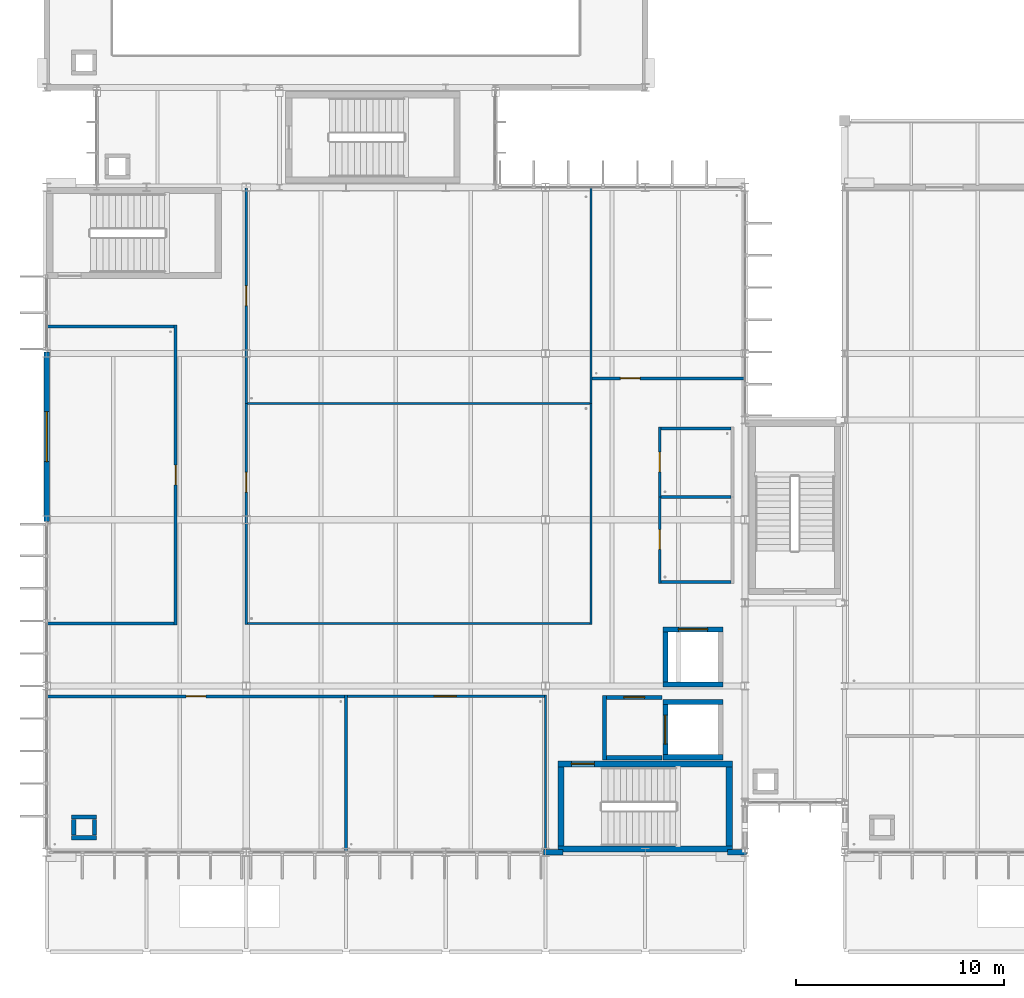
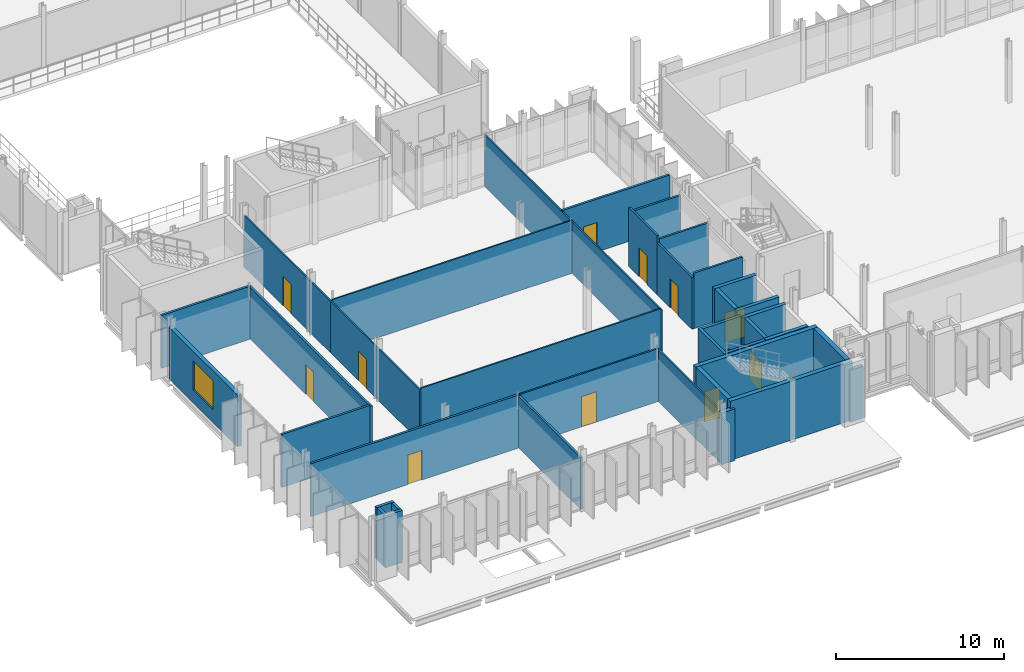
# One storey, part 60 of 107: 39 walls, 12 doors, 1 window, 13 openings.
"""IFC4 building model written with IfcOpenShell, lengths in metres."""

from ifc_helpers import new_model, si_unit, direction, frame, frame_2d, origin, place, context, subcontext, project, spatial, rectangle, extrude, material, layer, layer_set, type_object, element, fill, save


model = new_model("IFC4")

# Units and contexts
model_context = context("Model", 3, precision=1e-05, world=origin(), true_north=direction((0.0, 1.0)))
body_context = subcontext(model_context, "Body", "Model", "MODEL_VIEW")
ifc_project = project(units=[si_unit("LENGTHUNIT", "METRE"), si_unit("AREAUNIT", "SQUARE_METRE"), si_unit("VOLUMEUNIT", "CUBIC_METRE"), si_unit("PLANEANGLEUNIT", "RADIAN"), si_unit("MASSUNIT", "GRAM", prefix="KILO")], contexts=[model_context])

# Site, building, storey
site_placement = place(None, origin())
site = spatial("IfcSite", under=ifc_project, at=site_placement, CompositionType="ELEMENT")
building_placement = place(site_placement, origin())
building = spatial("IfcBuilding", under=site, at=building_placement, Name="Dunescarp Central Library", CompositionType="ELEMENT")
storey_placement = place(building_placement, frame((0.0, 0.0, 5.10009765625)))
storey = spatial("IfcBuildingStorey", under=building, at=storey_placement, Name="L01", CompositionType="ELEMENT", Elevation=5.10009765625)

# Wall, opening, door
ifc_material_1 = material(Name="Gypsum plasterboard acoustic partition")
ifc_layer_1 = layer(ifc_material_1, 0.14990234375)
ifc_layer_set_1 = layer_set([ifc_layer_1], Name="Gypsum plasterboard acoustic partition")
wall_type_1 = type_object("IfcWallType", Name="ARC-PT-AC150", PredefinedType="PARTITIONING", material=ifc_layer_set_1)
wall_1_placement = place(storey_placement, frame((0.0400390625, 12.300048828125, 0.0), z_axis=(0.0, 0.0, 1.0), x_axis=(1.0, 0.0, 0.0)))
wall_1 = element("IfcWall", 1, at=wall_1_placement, inside=storey, type_object=wall_type_1, Name="L01 partition PT-L01-0033", PredefinedType="PARTITIONING", context=body_context, shape_type="SweptSolid", body=[
    extrude(rectangle(XDim=14.284912109375, YDim=0.14990234375, at=frame_2d((7.142578125, 0.0))), origin(), (0.0, 0.0, 1.0), 3.851806640625),
])
opening_1_placement = place(wall_1_placement, frame((6.66796875, 0.0, 0.0)))
opening_1 = element("IfcOpeningElement", 2, at=opening_1_placement, cuts=wall_1, Name="Opening DR-L01-0012", PredefinedType="OPENING", context=body_context, shape_type="SweptSolid", body=[
    extrude(rectangle(XDim=0.949951171875, YDim=2.14990234375, at=frame_2d((0.47509765625, 1.074951171875))), frame((0.0, 0.0849609375, 0.0), z_axis=(0.0, -1.0, 0.0), x_axis=(1.0, 0.0, 0.0)), (0.0, 0.0, 1.0), 0.169921875),
])
ifc_material_2 = material(Name="Hardwood solid-core timber leaf", Category="wood")
door_type_1 = type_object("IfcDoorType", Name="ARC-DR-INT950", OperationType="NOTDEFINED", PredefinedType="DOOR", material=ifc_material_2)
door_1_placement = place(opening_1_placement, origin())
door_1 = element("IfcDoor", 3, at=door_1_placement, inside=storey, type_object=door_type_1, Name="L01 interior door DR-L01-0012", OperationType="SINGLE_SWING_LEFT", OverallHeight=2.14990234375, OverallWidth=0.949951171875, PredefinedType="DOOR", context=body_context, shape_type="SweptSolid", body=[
    extrude(rectangle(XDim=0.949951171875, YDim=2.14990234375, at=frame_2d((0.47509765625, 1.074951171875))), frame((0.0, 0.02490234375, 0.0), z_axis=(0.0, -1.0, 0.0), x_axis=(1.0, 0.0, 0.0)), (0.0, 0.0, 1.0), 0.050048828125),
])
fill(opening_1, door_1)

# Walls
wall_2_placement = place(storey_placement, frame((14.39990234375, 4.840087890625, 0.0), z_axis=(0.0, 0.0, 1.0), x_axis=(0.0, 1.0, 0.0)))
element("IfcWall", 4, at=wall_2_placement, inside=storey, type_object=wall_type_1, Name="L01 partition PT-L01-0034", PredefinedType="PARTITIONING", context=body_context, shape_type="SweptSolid", body=[
    extrude(rectangle(XDim=7.534912109375, YDim=0.14990234375, at=frame_2d((3.767578125, 0.0))), origin(), (0.0, 0.0, 1.0), 3.764892578125),
])
for number, where, z_axis, x_axis, name in (
    (5, (0.0400390625, 15.800048828125, 0.0), (0.0, 0.0, 1.0), (1.0, 0.0, 0.0), "L01 partition PT-L01-0037"),
    (6, (0.0400390625, 30.10009765625, 0.0), (0.0, 0.0, 1.0), (1.0, 0.0, 0.0), "L01 partition PT-L01-0038"),
):
    element("IfcWall", number, at=place(storey_placement, frame(where, z_axis=z_axis, x_axis=x_axis)), inside=storey, type_object=wall_type_1, Name=name, PredefinedType="PARTITIONING", context=body_context, shape_type="SweptSolid", body=[
        extrude(rectangle(XDim=6.0849609375, YDim=0.14990234375, at=frame_2d((3.04248046875, 0.0))), origin(), (0.0, 0.0, 1.0), 3.851806640625),
    ])

# Wall, opening, door
wall_3_placement = place(storey_placement, frame((6.199951171875, 15.72509765625, 0.0), z_axis=(0.0, 0.0, 1.0), x_axis=(0.0, 1.0, 0.0)))
wall_3 = element("IfcWall", 7, at=wall_3_placement, inside=storey, type_object=wall_type_1, Name="L01 partition PT-L01-0039", PredefinedType="PARTITIONING", context=body_context, shape_type="SweptSolid", body=[
    extrude(rectangle(XDim=14.449951171875, YDim=0.14990234375, at=frame_2d((7.22509765625, 0.0))), origin(), (0.0, 0.0, 1.0), 3.764892578125),
])
opening_2_placement = place(wall_3_placement, frame((6.75, 0.0, 0.0)))
opening_2 = element("IfcOpeningElement", 8, at=opening_2_placement, cuts=wall_3, Name="Opening DR-L01-0014", PredefinedType="OPENING", context=body_context, shape_type="SweptSolid", body=[
    extrude(rectangle(XDim=0.949951171875, YDim=2.14990234375, at=frame_2d((0.47509765625, 1.074951171875))), frame((0.0, 0.0849609375, 0.0), z_axis=(0.0, -1.0, 0.0), x_axis=(1.0, 0.0, 0.0)), (0.0, 0.0, 1.0), 0.169921875),
])
door_2_placement = place(opening_2_placement, origin())
door_2 = element("IfcDoor", 9, at=door_2_placement, inside=storey, type_object=door_type_1, Name="L01 interior door DR-L01-0014", OperationType="SINGLE_SWING_LEFT", OverallHeight=2.14990234375, OverallWidth=0.949951171875, PredefinedType="DOOR", context=body_context, shape_type="SweptSolid", body=[
    extrude(rectangle(XDim=0.949951171875, YDim=2.14990234375, at=frame_2d((0.47509765625, 1.074951171875))), frame((0.0, 0.02490234375, 0.0), z_axis=(0.0, -1.0, 0.0), x_axis=(1.0, 0.0, 0.0)), (0.0, 0.0, 1.0), 0.050048828125),
])
fill(opening_2, door_2)

wall_4_placement = place(storey_placement, frame((26.199951171875, 27.60009765625, 0.0), z_axis=(0.0, 0.0, 1.0), x_axis=(1.0, 0.0, 0.0)))
wall_4 = element("IfcWall", 10, at=wall_4_placement, inside=storey, type_object=wall_type_1, Name="L01 partition PT-L01-0046", PredefinedType="PARTITIONING", context=body_context, shape_type="SweptSolid", body=[
    extrude(rectangle(XDim=7.360107421875, YDim=0.14990234375, at=frame_2d((3.68017578125, 0.0))), origin(), (0.0, 0.0, 1.0), 3.851806640625),
])
opening_3_placement = place(wall_4_placement, frame((1.409912109375, 0.0, 0.0)))
opening_3 = element("IfcOpeningElement", 11, at=opening_3_placement, cuts=wall_4, Name="Opening DR-L01-0017", PredefinedType="OPENING", context=body_context, shape_type="SweptSolid", body=[
    extrude(rectangle(XDim=0.949951171875, YDim=2.14990234375, at=frame_2d((0.47509765625, 1.074951171875))), frame((0.0, 0.0849609375, 0.0), z_axis=(0.0, -1.0, 0.0), x_axis=(1.0, 0.0, 0.0)), (0.0, 0.0, 1.0), 0.169921875),
])
door_3_placement = place(opening_3_placement, origin())
door_3 = element("IfcDoor", 12, at=door_3_placement, inside=storey, type_object=door_type_1, Name="L01 interior door DR-L01-0017", OperationType="SINGLE_SWING_RIGHT", OverallHeight=2.14990234375, OverallWidth=0.949951171875, PredefinedType="DOOR", context=body_context, shape_type="SweptSolid", body=[
    extrude(rectangle(XDim=0.949951171875, YDim=2.14990234375, at=frame_2d((0.47509765625, 1.074951171875))), frame((0.0, 0.02490234375, 0.0), z_axis=(0.0, -1.0, 0.0), x_axis=(1.0, 0.0, 0.0)), (0.0, 0.0, 1.0), 0.050048828125),
])
fill(opening_3, door_3)

# Wall
ifc_material_3 = material(Name="Concrete C35/45", Category="concrete")
ifc_layer_2 = layer(ifc_material_3, 0.199951171875)
ifc_layer_set_2 = layer_set([ifc_layer_2], Name="Concrete C35/45")
wall_type_2 = type_object("IfcWallType", Name="ARC-PT-FIRE200", PredefinedType="PARTITIONING", material=ifc_layer_set_2)
wall_5_placement = place(storey_placement, frame((26.949951171875, 9.35009765625, 0.0), z_axis=(0.0, 0.0, 1.0), x_axis=(1.0, 0.0, 0.0)))
element("IfcWall", 13, at=wall_5_placement, inside=storey, type_object=wall_type_2, Name="L01 partition PT-L01-0023", PredefinedType="PARTITIONING", context=body_context, shape_type="SweptSolid", body=[
    extrude(rectangle(XDim=2.650146484375, YDim=0.199951171875, at=frame_2d((1.3251953125, 0.0))), origin(), (0.0, 0.0, 1.0), 4.289794921875),
])

# Wall, opening, door
wall_6_placement = place(storey_placement, frame((26.949951171875, 12.25, 0.0), z_axis=(0.0, 0.0, 1.0), x_axis=(1.0, 0.0, 0.0)))
wall_6 = element("IfcWall", 14, at=wall_6_placement, inside=storey, type_object=wall_type_2, Name="L01 partition PT-L01-0024", PredefinedType="PARTITIONING", context=body_context, shape_type="SweptSolid", body=[
    extrude(rectangle(XDim=2.650146484375, YDim=0.199951171875, at=frame_2d((1.3251953125, 0.0))), origin(), (0.0, 0.0, 1.0), 4.289794921875),
])
opening_4_placement = place(wall_6_placement, frame((0.824951171875, 0.0, 0.0)))
opening_4 = element("IfcOpeningElement", 15, at=opening_4_placement, cuts=wall_6, Name="Opening DR-L01-0009", PredefinedType="OPENING", context=body_context, shape_type="SweptSolid", body=[
    extrude(rectangle(XDim=1.0, YDim=2.199951171875, at=frame_2d((0.5, 1.10009765625))), frame((0.0, 0.10986328125, 0.0), z_axis=(0.0, -1.0, 0.0), x_axis=(1.0, 0.0, 0.0)), (0.0, 0.0, 1.0), 0.219970703125),
])
door_type_2 = type_object("IfcDoorType", Name="ARC-DR-INT1000", OperationType="NOTDEFINED", PredefinedType="DOOR", material=ifc_material_2)
door_4_placement = place(opening_4_placement, origin())
door_4 = element("IfcDoor", 16, at=door_4_placement, inside=storey, type_object=door_type_2, Name="L01 interior door DR-L01-0009", OperationType="SINGLE_SWING_RIGHT", OverallHeight=2.199951171875, OverallWidth=1.0, PredefinedType="DOOR", context=body_context, shape_type="SweptSolid", body=[
    extrude(rectangle(XDim=1.0, YDim=2.199951171875, at=frame_2d((0.5, 1.10009765625))), frame((0.0, 0.02490234375, 0.0), z_axis=(0.0, -1.0, 0.0), x_axis=(1.0, 0.0, 0.0)), (0.0, 0.0, 1.0), 0.050048828125),
])
fill(opening_4, door_4)

# Walls
wall_7_placement = place(storey_placement, frame((26.85009765625, 9.25, 0.0), z_axis=(0.0, 0.0, 1.0), x_axis=(0.0, 1.0, 0.0)))
element("IfcWall", 17, at=wall_7_placement, inside=storey, type_object=wall_type_2, Name="L01 partition PT-L01-0025", PredefinedType="PARTITIONING", context=body_context, shape_type="SweptSolid", body=[
    extrude(rectangle(XDim=3.10009765625, YDim=0.199951171875, at=frame_2d((1.550048828125, 0.0))), origin(), (0.0, 0.0, 1.0), 4.289794921875),
])
ifc_material_4 = material(Name="Solar-control laminated double glazing", Category="glass")
ifc_layer_3 = layer(ifc_material_4, 0.10009765625)
ifc_layer_set_3 = layer_set([ifc_layer_3], Name="Solar-control laminated double glazing")
wall_type_3 = type_object("IfcWallType", Name="ARC-PT-GLZ100", PredefinedType="MOVABLE", material=ifc_layer_set_3)
for number, where, z_axis, x_axis, name in (
    (18, (9.64990234375, 15.800048828125, 0.0), (0.0, 0.0, 1.0), (1.0, 0.0, 0.0), "L01 partition PT-L01-0040"),
    (19, (9.64990234375, 26.39990234375, 0.0), (0.0, 0.0, 1.0), (1.0, 0.0, 0.0), "L01 partition PT-L01-0041"),
):
    element("IfcWall", number, at=place(storey_placement, frame(where, z_axis=z_axis, x_axis=x_axis)), inside=storey, type_object=wall_type_3, Name=name, PredefinedType="MOVABLE", context=body_context, shape_type="SweptSolid", body=[
        extrude(rectangle(XDim=16.5, YDim=0.10009765625, at=frame_2d((8.25, 0.0))), origin(), (0.0, 0.0, 1.0), 3.851806640625),
    ])

# Wall, opening, door
wall_8_placement = place(storey_placement, frame((9.60009765625, 15.75, 0.0), z_axis=(0.0, 0.0, 1.0), x_axis=(0.0, 1.0, 0.0)))
wall_8 = element("IfcWall", 20, at=wall_8_placement, inside=storey, type_object=wall_type_3, Name="L01 partition PT-L01-0042", PredefinedType="MOVABLE", context=body_context, shape_type="SweptSolid", body=[
    extrude(rectangle(XDim=10.699951171875, YDim=0.10009765625, at=frame_2d((5.35009765625, 0.0))), origin(), (0.0, 0.0, 1.0), 3.764892578125),
])
opening_5_placement = place(wall_8_placement, frame((6.375, 0.0, 0.0)))
opening_5 = element("IfcOpeningElement", 21, at=opening_5_placement, cuts=wall_8, Name="Opening DR-L01-0015", PredefinedType="OPENING", context=body_context, shape_type="SweptSolid", body=[
    extrude(rectangle(XDim=0.949951171875, YDim=2.14990234375, at=frame_2d((0.47509765625, 1.074951171875))), frame((0.0, 0.06005859375, 0.0), z_axis=(0.0, -1.0, 0.0), x_axis=(1.0, 0.0, 0.0)), (0.0, 0.0, 1.0), 0.1201171875),
])
door_5_placement = place(opening_5_placement, origin())
door_5 = element("IfcDoor", 22, at=door_5_placement, inside=storey, type_object=door_type_1, Name="L01 interior door DR-L01-0015", OperationType="SINGLE_SWING_RIGHT", OverallHeight=2.14990234375, OverallWidth=0.949951171875, PredefinedType="DOOR", context=body_context, shape_type="SweptSolid", body=[
    extrude(rectangle(XDim=0.949951171875, YDim=2.14990234375, at=frame_2d((0.47509765625, 1.074951171875))), frame((0.0, 0.02490234375, 0.0), z_axis=(0.0, -1.0, 0.0), x_axis=(1.0, 0.0, 0.0)), (0.0, 0.0, 1.0), 0.050048828125),
])
fill(opening_5, door_5)

# Wall
wall_9_placement = place(storey_placement, frame((26.199951171875, 15.75, 0.0), z_axis=(0.0, 0.0, 1.0), x_axis=(0.0, 1.0, 0.0)))
element("IfcWall", 23, at=wall_9_placement, inside=storey, type_object=wall_type_3, Name="L01 partition PT-L01-0043", PredefinedType="MOVABLE", context=body_context, shape_type="SweptSolid", body=[
    extrude(rectangle(XDim=10.699951171875, YDim=0.10009765625, at=frame_2d((5.35009765625, 0.0))), origin(), (0.0, 0.0, 1.0), 3.764892578125),
])

# Wall, opening, door
wall_10_placement = place(storey_placement, frame((9.60009765625, 26.39990234375, 0.0), z_axis=(0.0, 0.0, 1.0), x_axis=(0.0, 1.0, 0.0)))
wall_10 = element("IfcWall", 24, at=wall_10_placement, inside=storey, type_object=wall_type_3, Name="L01 partition PT-L01-0044", PredefinedType="MOVABLE", context=body_context, shape_type="SweptSolid", body=[
    extrude(rectangle(XDim=10.360107421875, YDim=0.10009765625, at=frame_2d((5.18017578125, 0.0))), origin(), (0.0, 0.0, 1.0), 3.764892578125),
])
opening_6_placement = place(wall_10_placement, frame((4.705078125, 0.0, 0.0)))
opening_6 = element("IfcOpeningElement", 25, at=opening_6_placement, cuts=wall_10, Name="Opening DR-L01-0016", PredefinedType="OPENING", context=body_context, shape_type="SweptSolid", body=[
    extrude(rectangle(XDim=0.949951171875, YDim=2.14990234375, at=frame_2d((0.47509765625, 1.074951171875))), frame((0.0, 0.06005859375, 0.0), z_axis=(0.0, -1.0, 0.0), x_axis=(1.0, 0.0, 0.0)), (0.0, 0.0, 1.0), 0.1201171875),
])
door_6_placement = place(opening_6_placement, origin())
door_6 = element("IfcDoor", 26, at=door_6_placement, inside=storey, type_object=door_type_1, Name="L01 interior door DR-L01-0016", OperationType="SINGLE_SWING_LEFT", OverallHeight=2.14990234375, OverallWidth=0.949951171875, PredefinedType="DOOR", context=body_context, shape_type="SweptSolid", body=[
    extrude(rectangle(XDim=0.949951171875, YDim=2.14990234375, at=frame_2d((0.47509765625, 1.074951171875))), frame((0.0, 0.02490234375, 0.0), z_axis=(0.0, -1.0, 0.0), x_axis=(1.0, 0.0, 0.0)), (0.0, 0.0, 1.0), 0.050048828125),
])
fill(opening_6, door_6)

# Wall
wall_11_placement = place(storey_placement, frame((26.199951171875, 26.39990234375, 0.0), z_axis=(0.0, 0.0, 1.0), x_axis=(0.0, 1.0, 0.0)))
element("IfcWall", 27, at=wall_11_placement, inside=storey, type_object=wall_type_3, Name="L01 partition PT-L01-0045", PredefinedType="MOVABLE", context=body_context, shape_type="SweptSolid", body=[
    extrude(rectangle(XDim=10.360107421875, YDim=0.10009765625, at=frame_2d((5.18017578125, 0.0))), origin(), (0.0, 0.0, 1.0), 3.764892578125),
])

# Wall, opening, door
ifc_layer_4 = layer(ifc_material_1, 0.110107421875)
ifc_layer_set_4 = layer_set([ifc_layer_4], Name="Gypsum plasterboard acoustic partition")
wall_type_4 = type_object("IfcWallType", Name="ARC-PT-GYP110", PredefinedType="PARTITIONING", material=ifc_layer_set_4)
wall_12_placement = place(storey_placement, frame((14.39990234375, 12.300048828125, 0.0), z_axis=(0.0, 0.0, 1.0), x_axis=(1.0, 0.0, 0.0)))
wall_12 = element("IfcWall", 28, at=wall_12_placement, inside=storey, type_object=wall_type_4, Name="L01 partition PT-L01-0035", PredefinedType="PARTITIONING", context=body_context, shape_type="SweptSolid", body=[
    extrude(rectangle(XDim=9.545166015625, YDim=0.110107421875, at=frame_2d((4.7724609375, 0.0))), origin(), (0.0, 0.0, 1.0), 3.851806640625),
])
opening_7_placement = place(wall_12_placement, frame((4.2470703125, 0.0, 0.0)))
opening_7 = element("IfcOpeningElement", 29, at=opening_7_placement, cuts=wall_12, Name="Opening DR-L01-0013", PredefinedType="OPENING", context=body_context, shape_type="SweptSolid", body=[
    extrude(rectangle(XDim=1.050048828125, YDim=2.199951171875, at=frame_2d((0.52490234375, 1.10009765625))), frame((0.0, 0.06494140625, 0.0), z_axis=(0.0, -1.0, 0.0), x_axis=(1.0, 0.0, 0.0)), (0.0, 0.0, 1.0), 0.130126953125),
])
door_type_3 = type_object("IfcDoorType", Name="ARC-DR-INT1050", OperationType="NOTDEFINED", PredefinedType="DOOR", material=ifc_material_2)
door_7_placement = place(opening_7_placement, origin())
door_7 = element("IfcDoor", 30, at=door_7_placement, inside=storey, type_object=door_type_3, Name="L01 interior door DR-L01-0013", OperationType="SINGLE_SWING_RIGHT", OverallHeight=2.199951171875, OverallWidth=1.050048828125, PredefinedType="DOOR", context=body_context, shape_type="SweptSolid", body=[
    extrude(rectangle(XDim=1.050048828125, YDim=2.199951171875, at=frame_2d((0.52490234375, 1.10009765625))), frame((0.0, 0.02490234375, 0.0), z_axis=(0.0, -1.0, 0.0), x_axis=(1.0, 0.0, 0.0)), (0.0, 0.0, 1.0), 0.050048828125),
])
fill(opening_7, door_7)

# Walls
wall_13_placement = place(storey_placement, frame((24.0, 4.840087890625, 0.0), z_axis=(0.0, 0.0, 1.0), x_axis=(0.0, 1.0, 0.0)))
element("IfcWall", 31, at=wall_13_placement, inside=storey, type_object=wall_type_4, Name="L01 partition PT-L01-0036", PredefinedType="PARTITIONING", context=body_context, shape_type="SweptSolid", body=[
    extrude(rectangle(XDim=7.514892578125, YDim=0.110107421875, at=frame_2d((3.75732421875, 0.0))), origin(), (0.0, 0.0, 1.0), 3.764892578125),
])
ifc_material_5 = material(Name="Autoclaved aerated concrete block", Category="concrete")
ifc_layer_5 = layer(ifc_material_5, 0.139892578125)
ifc_layer_set_5 = layer_set([ifc_layer_5], Name="Autoclaved aerated concrete block")
wall_type_5 = type_object("IfcWallType", Name="ARC-PT-WET140", PredefinedType="PARTITIONING", material=ifc_layer_set_5)
for number, where, z_axis, x_axis, name in (
    (32, (29.570068359375, 17.800048828125, 0.0), (0.0, 0.0, 1.0), (1.0, 0.0, 0.0), "L01 partition PT-L01-0026"),
    (33, (29.570068359375, 21.89990234375, 0.0), (0.0, 0.0, 1.0), (1.0, 0.0, 0.0), "L01 partition PT-L01-0027"),
):
    element("IfcWall", number, at=place(storey_placement, frame(where, z_axis=z_axis, x_axis=x_axis)), inside=storey, type_object=wall_type_5, Name=name, PredefinedType="PARTITIONING", context=body_context, shape_type="SweptSolid", body=[
        extrude(rectangle(XDim=3.35986328125, YDim=0.139892578125, at=frame_2d((1.679931640625, 0.0))), origin(), (0.0, 0.0, 1.0), 4.044921875),
    ])

# Wall, opening, door
wall_14_placement = place(storey_placement, frame((29.5, 17.72998046875, 0.0), z_axis=(0.0, 0.0, 1.0), x_axis=(0.0, 1.0, 0.0)))
wall_14 = element("IfcWall", 34, at=wall_14_placement, inside=storey, type_object=wall_type_5, Name="L01 partition PT-L01-0028", PredefinedType="PARTITIONING", context=body_context, shape_type="SweptSolid", body=[
    extrude(rectangle(XDim=4.239990234375, YDim=0.139892578125, at=frame_2d((2.1201171875, 0.0))), origin(), (0.0, 0.0, 1.0), 3.764892578125),
])
opening_8_placement = place(wall_14_placement, frame((1.64501953125, 0.0, 0.0)))
opening_8 = element("IfcOpeningElement", 35, at=opening_8_placement, cuts=wall_14, Name="Opening DR-L01-0010", PredefinedType="OPENING", context=body_context, shape_type="SweptSolid", body=[
    extrude(rectangle(XDim=0.949951171875, YDim=2.10009765625, at=frame_2d((0.47509765625, 1.050048828125))), frame((0.0, 0.080078125, 0.0), z_axis=(0.0, -1.0, 0.0), x_axis=(1.0, 0.0, 0.0)), (0.0, 0.0, 1.0), 0.159912109375),
])
door_type_4 = type_object("IfcDoorType", Name="ARC-DR-WC950", OperationType="NOTDEFINED", PredefinedType="DOOR", material=ifc_material_2)
door_8_placement = place(opening_8_placement, origin())
door_8 = element("IfcDoor", 36, at=door_8_placement, inside=storey, type_object=door_type_4, Name="L01 interior door DR-L01-0010", OperationType="SINGLE_SWING_LEFT", OverallHeight=2.10009765625, OverallWidth=0.949951171875, PredefinedType="DOOR", context=body_context, shape_type="SweptSolid", body=[
    extrude(rectangle(XDim=0.949951171875, YDim=2.10009765625, at=frame_2d((0.47509765625, 1.050048828125))), frame((0.0, 0.02490234375, 0.0), z_axis=(0.0, -1.0, 0.0), x_axis=(1.0, 0.0, 0.0)), (0.0, 0.0, 1.0), 0.050048828125),
])
fill(opening_8, door_8)

# Wall
wall_15_placement = place(storey_placement, frame((29.570068359375, 25.199951171875, 0.0), z_axis=(0.0, 0.0, 1.0), x_axis=(1.0, 0.0, 0.0)))
element("IfcWall", 37, at=wall_15_placement, inside=storey, type_object=wall_type_5, Name="L01 partition PT-L01-0030", PredefinedType="PARTITIONING", context=body_context, shape_type="SweptSolid", body=[
    extrude(rectangle(XDim=3.35986328125, YDim=0.139892578125, at=frame_2d((1.679931640625, 0.0))), origin(), (0.0, 0.0, 1.0), 4.044921875),
])

# Wall, opening, door
wall_16_placement = place(storey_placement, frame((29.5, 21.89990234375, 0.0), z_axis=(0.0, 0.0, 1.0), x_axis=(0.0, 1.0, 0.0)))
wall_16 = element("IfcWall", 38, at=wall_16_placement, inside=storey, type_object=wall_type_5, Name="L01 partition PT-L01-0031", PredefinedType="PARTITIONING", context=body_context, shape_type="SweptSolid", body=[
    extrude(rectangle(XDim=3.3701171875, YDim=0.139892578125, at=frame_2d((1.68505859375, 0.0))), origin(), (0.0, 0.0, 1.0), 4.289794921875),
])
opening_9_placement = place(wall_16_placement, frame((1.2099609375, 0.0, 0.0)))
opening_9 = element("IfcOpeningElement", 39, at=opening_9_placement, cuts=wall_16, Name="Opening DR-L01-0011", PredefinedType="OPENING", context=body_context, shape_type="SweptSolid", body=[
    extrude(rectangle(XDim=0.949951171875, YDim=2.10009765625, at=frame_2d((0.47509765625, 1.050048828125))), frame((0.0, 0.080078125, 0.0), z_axis=(0.0, -1.0, 0.0), x_axis=(1.0, 0.0, 0.0)), (0.0, 0.0, 1.0), 0.159912109375),
])
door_9_placement = place(opening_9_placement, origin())
door_9 = element("IfcDoor", 40, at=door_9_placement, inside=storey, type_object=door_type_4, Name="L01 interior door DR-L01-0011", OperationType="SINGLE_SWING_RIGHT", OverallHeight=2.10009765625, OverallWidth=0.949951171875, PredefinedType="DOOR", context=body_context, shape_type="SweptSolid", body=[
    extrude(rectangle(XDim=0.949951171875, YDim=2.10009765625, at=frame_2d((0.47509765625, 1.050048828125))), frame((0.0, 0.02490234375, 0.0), z_axis=(0.0, -1.0, 0.0), x_axis=(1.0, 0.0, 0.0)), (0.0, 0.0, 1.0), 0.050048828125),
])
fill(opening_9, door_9)

# Walls
ifc_material_6 = material(Name="Glass-fibre reinforced concrete GRC", Category="concrete")
ifc_layer_6 = layer(ifc_material_6, 0.280029296875)
ifc_layer_set_6 = layer_set([ifc_layer_6], Name="Glass-fibre reinforced concrete GRC")
wall_type_6 = type_object("IfcWallType", Name="ARC-WL-GRC280", PredefinedType="SOLIDWALL", material=ifc_layer_set_6)
wall_17_placement = place(storey_placement, frame((24.8349609375, 4.800048828125, 0.0), z_axis=(0.0, 0.0, 1.0), x_axis=(-1.0, 0.0, 0.0)))
element("IfcWall", 41, at=wall_17_placement, inside=storey, type_object=wall_type_6, Name="L01 external wall EW-V1-006", PredefinedType="SOLIDWALL", context=body_context, shape_type="SweptSolid", body=[
    extrude(rectangle(XDim=0.919921875, YDim=0.280029296875, at=frame_2d((0.4599609375, 0.0))), origin(), (0.0, 0.0, 1.0), 3.764892578125),
])
wall_18_placement = place(storey_placement, frame((33.68505859375, 4.800048828125, 0.0), z_axis=(0.0, 0.0, 1.0), x_axis=(-1.0, 0.0, 0.0)))
element("IfcWall", 42, at=wall_18_placement, inside=storey, type_object=wall_type_6, Name="L01 external wall EW-V1-007", PredefinedType="SOLIDWALL", context=body_context, shape_type="SweptSolid", body=[
    extrude(rectangle(XDim=0.920166015625, YDim=0.280029296875, at=frame_2d((0.4599609375, 0.0))), origin(), (0.0, 0.0, 1.0), 3.764892578125),
])

# Wall, opening, window
wall_19_placement = place(storey_placement, frame((0.0, 20.715087890625, 0.0), z_axis=(0.0, 0.0, 1.0), x_axis=(0.0, 1.0, 0.0)))
wall_19 = element("IfcWall", 43, at=wall_19_placement, inside=storey, type_object=wall_type_6, Name="L01 external wall EW-V1-008", PredefinedType="SOLIDWALL", context=body_context, shape_type="SweptSolid", body=[
    extrude(rectangle(XDim=8.169921875, YDim=0.280029296875, at=frame_2d((4.0849609375, 0.0))), origin(), (0.0, 0.0, 1.0), 3.764892578125),
])
opening_10_placement = place(wall_19_placement, frame((2.885009765625, 0.0, 0.949951171875)))
opening_10 = element("IfcOpeningElement", 44, at=opening_10_placement, cuts=wall_19, Name="Opening WN-002", PredefinedType="OPENING", context=body_context, shape_type="SweptSolid", body=[
    extrude(rectangle(XDim=2.39990234375, YDim=2.10009765625, at=frame_2d((1.199951171875, 1.050048828125))), frame((0.0, 0.14990234375, 0.0), z_axis=(0.0, -1.0, 0.0), x_axis=(1.0, 0.0, 0.0)), (0.0, 0.0, 1.0), 0.300048828125),
])
window_type = type_object("IfcWindowType", Name="ARC-WN-2400X2100", PartitioningType="SINGLE_PANEL", PredefinedType="WINDOW", material=ifc_material_4)
window_placement = place(opening_10_placement, origin())
window = element("IfcWindow", 45, at=window_placement, inside=storey, type_object=window_type, Name="L01 window WN-002", OverallHeight=2.10009765625, OverallWidth=2.39990234375, PartitioningType="SINGLE_PANEL", PredefinedType="WINDOW", context=body_context, shape_type="SweptSolid", body=[
    extrude(rectangle(XDim=2.39990234375, YDim=2.10009765625, at=frame_2d((1.199951171875, 1.050048828125))), frame((0.0, 0.030029296875, 0.0), z_axis=(0.0, -1.0, 0.0), x_axis=(1.0, 0.0, 0.0)), (0.0, 0.0, 1.0), 0.06005859375),
])
fill(opening_10, window)

# Walls
ifc_layer_7 = layer(ifc_material_3, 0.199951171875)
ifc_layer_set_7 = layer_set([ifc_layer_7], Name="Concrete C35/45")
wall_type_7 = type_object("IfcWallType", Name="ARC-WL-RISER200", PredefinedType="PARTITIONING", material=ifc_layer_set_7)
for number, where, z_axis, x_axis, name in (
    (46, (2.39990234375, 5.5, 0.0), (0.0, 0.0, 1.0), (-1.0, 0.0, 0.0), "L01 V1 duct shaft wall S"),
    (47, (1.199951171875, 6.5, 0.0), (0.0, 0.0, 1.0), (1.0, 0.0, 0.0), "L01 V1 duct shaft wall N"),
):
    element("IfcWall", number, at=place(storey_placement, frame(where, z_axis=z_axis, x_axis=x_axis)), inside=storey, type_object=wall_type_7, Name=name, PredefinedType="PARTITIONING", context=body_context, shape_type="SweptSolid", body=[
        extrude(rectangle(XDim=1.199951171875, YDim=0.199951171875, at=frame_2d((0.60009765625, 0.0))), origin(), (0.0, 0.0, 1.0), 3.789794921875),
    ])
for number, where, z_axis, x_axis, name in (
    (48, (1.300048828125, 5.6201171875, 0.0), (0.0, 0.0, 1.0), (0.0, 1.0, 0.0), "L01 V1 duct shaft wall W"),
    (49, (2.300048828125, 6.3798828125, 0.0), (0.0, 0.0, 1.0), (0.0, -1.0, 0.0), "L01 V1 duct shaft wall E"),
):
    element("IfcWall", number, at=place(storey_placement, frame(where, z_axis=z_axis, x_axis=x_axis)), inside=storey, type_object=wall_type_7, Name=name, PredefinedType="PARTITIONING", context=body_context, shape_type="SweptSolid", body=[
        extrude(rectangle(XDim=0.759765625, YDim=0.199951171875, at=frame_2d((0.3798828125, 0.0))), origin(), (0.0, 0.0, 1.0), 3.789794921875),
    ])
ifc_material_7 = material(Name="Concrete C40/50", Category="concrete")
ifc_layer_8 = layer(ifc_material_7, 0.25)
ifc_layer_set_8 = layer_set([ifc_layer_8], Name="Concrete C40/50")
wall_type_8 = type_object("IfcWallType", Name="STR-WL-CORE250", PredefinedType="SHEAR", material=ifc_layer_set_8)
for number, where, z_axis, x_axis, name in (
    (50, (32.550048828125, 9.375, 0.0), (0.0, 0.0, 1.0), (-1.0, 0.0, 0.0), "L01 FFL-1 lift shaft wall S"),
    (51, (29.64990234375, 12.02490234375, 0.0), (0.0, 0.0, 1.0), (1.0, 0.0, 0.0), "L01 FFL-1 lift shaft wall N"),
):
    element("IfcWall", number, at=place(storey_placement, frame(where, z_axis=z_axis, x_axis=x_axis)), inside=storey, type_object=wall_type_8, Name=name, PredefinedType="SHEAR", context=body_context, shape_type="SweptSolid", body=[
        extrude(rectangle(XDim=2.900146484375, YDim=0.25, at=frame_2d((1.4501953125, 0.0))), origin(), (0.0, 0.0, 1.0), 4.289794921875),
    ])

# Wall, opening, door
wall_20_placement = place(storey_placement, frame((29.77490234375, 9.5, 0.0), z_axis=(0.0, 0.0, 1.0), x_axis=(0.0, 1.0, 0.0)))
wall_20 = element("IfcWall", 52, at=wall_20_placement, inside=storey, type_object=wall_type_8, Name="L01 FFL-1 lift shaft wall W", PredefinedType="SHEAR", context=body_context, shape_type="SweptSolid", body=[
    extrude(rectangle(XDim=2.39990234375, YDim=0.25, at=frame_2d((1.199951171875, 0.0))), origin(), (0.0, 0.0, 1.0), 4.289794921875),
])
opening_11_placement = place(wall_20_placement, frame((0.5, 0.0, 0.0)))
opening_11 = element("IfcOpeningElement", 53, at=opening_11_placement, cuts=wall_20, Name="Opening LD-FFL-1-L01", PredefinedType="OPENING", context=body_context, shape_type="SweptSolid", body=[
    extrude(rectangle(XDim=1.39990234375, YDim=2.199951171875, at=frame_2d((0.699951171875, 1.10009765625))), frame((0.0, 0.135009765625, 0.0), z_axis=(0.0, -1.0, 0.0), x_axis=(1.0, 0.0, 0.0)), (0.0, 0.0, 1.0), 0.27001953125),
])
ifc_material_8 = material(Name="Stainless steel Grade 316L", Category="steel")
door_type_5 = type_object("IfcDoorType", Name="ARC-DR-LD1400", OperationType="DOUBLE_DOOR_SLIDING", PredefinedType="DOOR", material=ifc_material_8)
door_10_placement = place(opening_11_placement, origin())
door_10 = element("IfcDoor", 54, at=door_10_placement, inside=storey, type_object=door_type_5, Name="L01 FFL-1 lift landing door", OperationType="DOUBLE_DOOR_SLIDING", OverallHeight=2.199951171875, OverallWidth=1.39990234375, PredefinedType="DOOR", context=body_context, shape_type="SweptSolid", body=[
    extrude(rectangle(XDim=1.39990234375, YDim=2.199951171875, at=frame_2d((0.699951171875, 1.10009765625))), frame((0.0, 0.02490234375, 0.0), z_axis=(0.0, -1.0, 0.0), x_axis=(1.0, 0.0, 0.0)), (0.0, 0.0, 1.0), 0.050048828125),
])
fill(opening_11, door_10)

# Wall
wall_21_placement = place(storey_placement, frame((32.550048828125, 12.875, 0.0), z_axis=(0.0, 0.0, 1.0), x_axis=(-1.0, 0.0, 0.0)))
element("IfcWall", 55, at=wall_21_placement, inside=storey, type_object=wall_type_8, Name="L01 SL-1 lift shaft wall S", PredefinedType="SHEAR", context=body_context, shape_type="SweptSolid", body=[
    extrude(rectangle(XDim=2.900146484375, YDim=0.25, at=frame_2d((1.4501953125, 0.0))), origin(), (0.0, 0.0, 1.0), 4.289794921875),
])

# Wall, opening, door
wall_22_placement = place(storey_placement, frame((29.64990234375, 15.52490234375, 0.0), z_axis=(0.0, 0.0, 1.0), x_axis=(1.0, 0.0, 0.0)))
wall_22 = element("IfcWall", 56, at=wall_22_placement, inside=storey, type_object=wall_type_8, Name="L01 SL-1 lift shaft wall N", PredefinedType="SHEAR", context=body_context, shape_type="SweptSolid", body=[
    extrude(rectangle(XDim=2.900146484375, YDim=0.25, at=frame_2d((1.4501953125, 0.0))), origin(), (0.0, 0.0, 1.0), 4.289794921875),
])
opening_12_placement = place(wall_22_placement, frame((0.75, 0.0, 0.0)))
opening_12 = element("IfcOpeningElement", 57, at=opening_12_placement, cuts=wall_22, Name="Opening LD-SL-1-L01", PredefinedType="OPENING", context=body_context, shape_type="SweptSolid", body=[
    extrude(rectangle(XDim=1.39990234375, YDim=2.199951171875, at=frame_2d((0.699951171875, 1.10009765625))), frame((0.0, 0.135009765625, 0.0), z_axis=(0.0, -1.0, 0.0), x_axis=(1.0, 0.0, 0.0)), (0.0, 0.0, 1.0), 0.27001953125),
])
door_11_placement = place(opening_12_placement, origin())
door_11 = element("IfcDoor", 58, at=door_11_placement, inside=storey, type_object=door_type_5, Name="L01 SL-1 lift landing door", OperationType="DOUBLE_DOOR_SLIDING", OverallHeight=2.199951171875, OverallWidth=1.39990234375, PredefinedType="DOOR", context=body_context, shape_type="SweptSolid", body=[
    extrude(rectangle(XDim=1.39990234375, YDim=2.199951171875, at=frame_2d((0.699951171875, 1.10009765625))), frame((0.0, 0.02490234375, 0.0), z_axis=(0.0, -1.0, 0.0), x_axis=(1.0, 0.0, 0.0)), (0.0, 0.0, 1.0), 0.050048828125),
])
fill(opening_12, door_11)

# Walls
wall_23_placement = place(storey_placement, frame((29.77490234375, 13.0, 0.0), z_axis=(0.0, 0.0, 1.0), x_axis=(0.0, 1.0, 0.0)))
element("IfcWall", 59, at=wall_23_placement, inside=storey, type_object=wall_type_8, Name="L01 SL-1 lift shaft wall W", PredefinedType="SHEAR", context=body_context, shape_type="SweptSolid", body=[
    extrude(rectangle(XDim=2.39990234375, YDim=0.25, at=frame_2d((1.199951171875, 0.0))), origin(), (0.0, 0.0, 1.0), 4.289794921875),
])
ifc_layer_9 = layer(ifc_material_7, 0.300048828125)
ifc_layer_set_9 = layer_set([ifc_layer_9], Name="Concrete C40/50")
wall_type_9 = type_object("IfcWallType", Name="STR-WL-CORE300", PredefinedType="SHEAR", material=ifc_layer_set_9)
wall_24_placement = place(storey_placement, frame((33.0, 4.949951171875, 0.0), z_axis=(0.0, 0.0, 1.0), x_axis=(-1.0, 0.0, 0.0)))
element("IfcWall", 60, at=wall_24_placement, inside=storey, type_object=wall_type_9, Name="L01 ST-1 south core wall", PredefinedType="SHEAR", context=body_context, shape_type="SweptSolid", body=[
    extrude(rectangle(XDim=8.39990234375, YDim=0.300048828125, at=frame_2d((4.199951171875, 0.0))), origin(), (0.0, 0.0, 1.0), 4.289794921875),
])

# Wall, opening, door
wall_25_placement = place(storey_placement, frame((24.60009765625, 9.050048828125, 0.0), z_axis=(0.0, 0.0, 1.0), x_axis=(1.0, 0.0, 0.0)))
wall_25 = element("IfcWall", 61, at=wall_25_placement, inside=storey, type_object=wall_type_9, Name="L01 ST-1 north core wall", PredefinedType="SHEAR", context=body_context, shape_type="SweptSolid", body=[
    extrude(rectangle(XDim=8.39990234375, YDim=0.300048828125, at=frame_2d((4.199951171875, 0.0))), origin(), (0.0, 0.0, 1.0), 4.289794921875),
])
opening_13_placement = place(wall_25_placement, frame((0.64990234375, 0.0, 0.0)))
opening_13 = element("IfcOpeningElement", 62, at=opening_13_placement, cuts=wall_25, Name="Opening D-ST-1-L01", PredefinedType="OPENING", context=body_context, shape_type="SweptSolid", body=[
    extrude(rectangle(XDim=1.10009765625, YDim=2.199951171875, at=frame_2d((0.550048828125, 1.10009765625))), frame((0.0, 0.16015625, 0.0), z_axis=(0.0, -1.0, 0.0), x_axis=(1.0, 0.0, 0.0)), (0.0, 0.0, 1.0), 0.320068359375),
])
ifc_material_9 = material(Name="Galvanised steel FD120S", Category="steel")
door_type_6 = type_object("IfcDoorType", Name="ARC-DR-STAIR", OperationType="NOTDEFINED", PredefinedType="DOOR", material=ifc_material_9)
door_12_placement = place(opening_13_placement, origin())
door_12 = element("IfcDoor", 63, at=door_12_placement, inside=storey, type_object=door_type_6, Name="L01 ST-1 fire stair door", OperationType="SINGLE_SWING_LEFT", OverallHeight=2.199951171875, OverallWidth=1.10009765625, PredefinedType="DOOR", context=body_context, shape_type="SweptSolid", body=[
    extrude(rectangle(XDim=1.10009765625, YDim=2.199951171875, at=frame_2d((0.550048828125, 1.10009765625))), frame((0.0, 0.02490234375, 0.0), z_axis=(0.0, -1.0, 0.0), x_axis=(1.0, 0.0, 0.0)), (0.0, 0.0, 1.0), 0.050048828125),
])
fill(opening_13, door_12)

# Walls
for number, where, z_axis, x_axis, name in (
    (64, (24.75, 5.10009765625, 0.0), (0.0, 0.0, 1.0), (0.0, 1.0, 0.0), "L01 ST-1 west core wall"),
    (65, (32.85009765625, 8.89990234375, 0.0), (0.0, 0.0, 1.0), (0.0, -1.0, 0.0), "L01 ST-1 east core wall"),
):
    element("IfcWall", number, at=place(storey_placement, frame(where, z_axis=z_axis, x_axis=x_axis)), inside=storey, type_object=wall_type_9, Name=name, PredefinedType="SHEAR", context=body_context, shape_type="SweptSolid", body=[
        extrude(rectangle(XDim=3.7998046875, YDim=0.300048828125, at=frame_2d((1.89990234375, 0.0))), origin(), (0.0, 0.0, 1.0), 4.289794921875),
    ])

save(model, "model.ifc")
